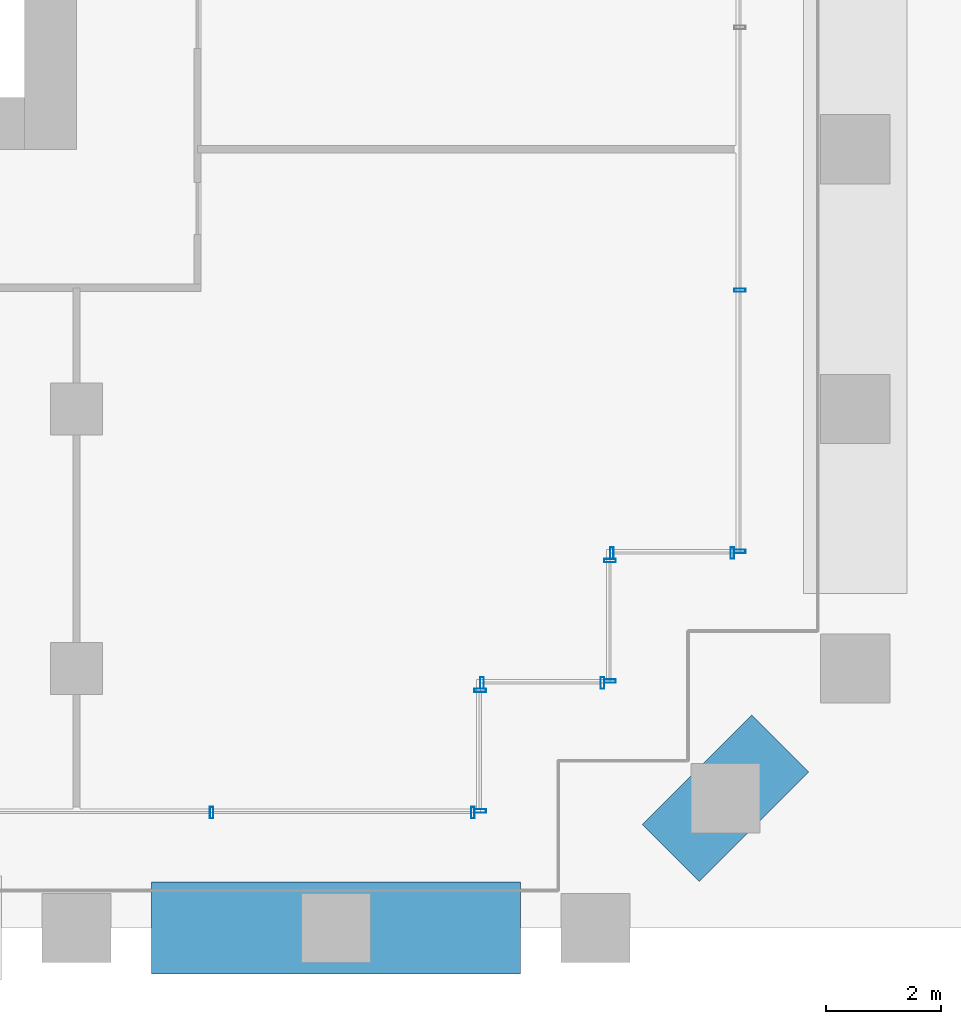
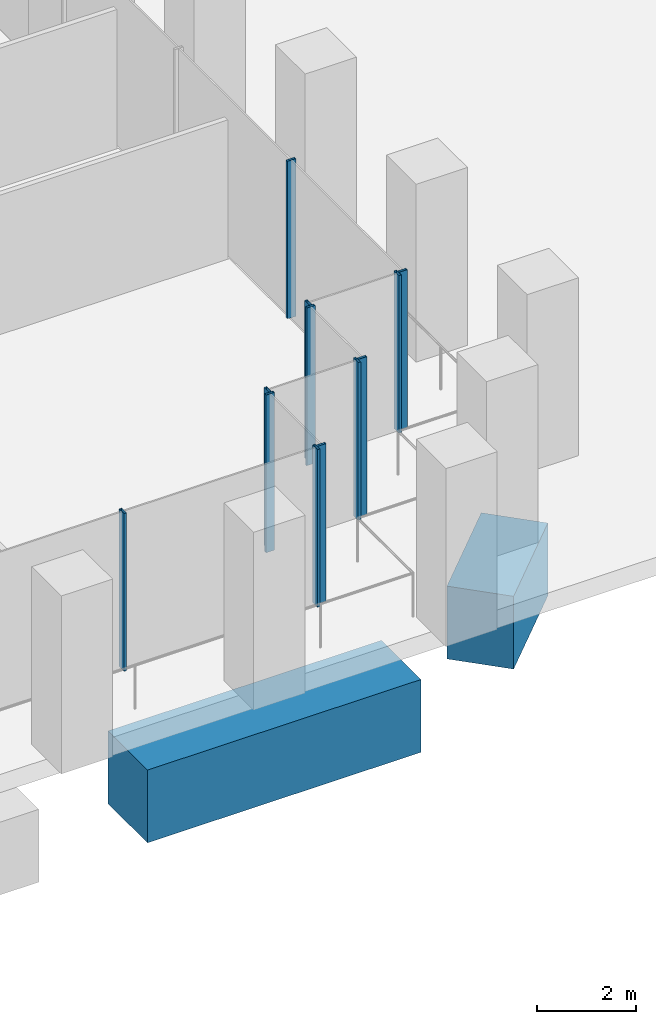
# One storey, part 6 of 32: 12 members, 2 beams, 6 elements without a shape of their own.
"""IFC4 building model written with IfcOpenShell, lengths in metres."""

import ifcopenshell
import ifcopenshell.guid

model = None  # the IFC model being written
_history = None  # IfcOwnerHistory: only IFC2X3 demands one
_inside = {}  # id of a spatial element -> (the spatial element, [elements in it])
_under = {}  # id of a project, library or spatial element -> (it, [spatial elements below it])
_declared = {}  # id of a project -> (the project, [libraries it declares])
_typed = {}  # id of a type object -> (the type object, [elements of that type])
_made_of = {}  # id of a material, layer set ... -> (it, [elements and type objects made of it])


def new_model(schema):
    """Start an empty IFC model of exactly this schema.

    Asked for "IFC4X3", IfcOpenShell would pick the latest addendum, in which some entities
    have other attributes; the version numbers below select the first issue.
    IFC2X3 requires an IfcOwnerHistory on every rooted entity: one is made here for all.
    """
    global model, _history
    if schema == "IFC4X3":
        model = ifcopenshell.file(schema_version=(4, 3, 0, 0))
    else:
        model = ifcopenshell.file(schema=schema)
    _inside.clear()
    _under.clear()
    _declared.clear()
    _typed.clear()
    _made_of.clear()
    _history = None
    if model.schema == "IFC2X3":
        org = make("IfcOrganization", Name="unknown")
        user = make(
            "IfcPersonAndOrganization",
            ThePerson=make("IfcPerson", FamilyName="unknown"),
            TheOrganization=org,
        )
        app = make(
            "IfcApplication",
            ApplicationDeveloper=org,
            Version="unknown",
            ApplicationFullName="unknown",
            ApplicationIdentifier="unknown",
        )
        _history = make(
            "IfcOwnerHistory",
            OwningUser=user,
            OwningApplication=app,
            ChangeAction="ADDED",
            CreationDate=0,
        )
    return model


def make(cls, **values):
    """One entity of the class cls with the attributes given. An attribute that is None is left unset."""
    return model.create_entity(
        cls, **{name: value for name, value in values.items() if value is not None}
    )


def rooted(cls, **values):
    """An entity with a GlobalId (a new one), such as an element, a storey or a relation."""
    return make(cls, GlobalId=ifcopenshell.guid.new(), OwnerHistory=_history, **values)


def si_unit(unit_type, name, prefix=None):
    """IfcSIUnit, for example si_unit("LENGTHUNIT", "METRE", prefix="MILLI")."""
    return make("IfcSIUnit", UnitType=unit_type, Prefix=prefix, Name=name)


def assignment(units):
    """IfcUnitAssignment: the units of a project."""
    return None if units is None else make("IfcUnitAssignment", Units=units)


def point(xyz):
    """IfcCartesianPoint."""
    return None if xyz is None else make("IfcCartesianPoint", Coordinates=xyz)


def direction(xyz):
    """IfcDirection."""
    return None if xyz is None else make("IfcDirection", DirectionRatios=xyz)


def frame(location, z_axis=None, x_axis=None):
    """IfcAxis2Placement3D, a coordinate frame: its origin and axes. An axis left out is left unset."""
    return make(
        "IfcAxis2Placement3D",
        Location=point(location),
        Axis=direction(z_axis),
        RefDirection=direction(x_axis),
    )


def frame_2d(location, x_axis=None):
    """IfcAxis2Placement2D, a coordinate frame in the plane: its origin and x axis."""
    return make(
        "IfcAxis2Placement2D", Location=point(location), RefDirection=direction(x_axis)
    )


def origin():
    """The frame at (0, 0, 0) with its axes left unset."""
    return frame((0.0, 0.0, 0.0))


def origin_2d():
    """The frame at (0, 0) in the plane with its x axis left unset."""
    return frame_2d((0.0, 0.0))


def place(relative_to, where):
    """IfcLocalPlacement: puts the frame where relative to a parent placement (None: the world)."""
    return make(
        "IfcLocalPlacement", PlacementRelTo=relative_to, RelativePlacement=where
    )


def context(
    kind, dimensions, precision=None, world=None, true_north=None, identifier=None
):
    """IfcGeometricRepresentationContext, for example the 3D "Model" context."""
    return make(
        "IfcGeometricRepresentationContext",
        ContextIdentifier=identifier,
        ContextType=kind,
        CoordinateSpaceDimension=dimensions,
        Precision=precision,
        WorldCoordinateSystem=world,
        TrueNorth=true_north,
    )


def subcontext(parent, identifier, kind, view, scale=None):
    """IfcGeometricRepresentationSubContext, for example "Body" below "Model"."""
    return make(
        "IfcGeometricRepresentationSubContext",
        ContextIdentifier=identifier,
        ContextType=kind,
        ParentContext=parent,
        TargetScale=scale,
        TargetView=view,
    )


def project(units=None, contexts=None):
    """IfcProject with its units and contexts."""
    return rooted(
        "IfcProject",
        Name="project",
        RepresentationContexts=contexts,
        UnitsInContext=assignment(units),
    )


def spatial(cls, under=None, at=None, **own):
    """A site, building, storey or space (cls), placed at a placement, below another one or the project."""
    s = rooted(cls, ObjectPlacement=at, **own)
    if under is not None:
        _under.setdefault(under.id(), (under, []))[1].append(s)
    return s


def profile(cls, at=None, kind="AREA", **sizes):
    """A parametric profile (cls). Its sizes go by their IFC names, for example OverallWidth=200.0."""
    return make(cls, ProfileType=kind, Position=at, **sizes)


def rectangle(**sizes):
    """IfcRectangleProfileDef."""
    return profile("IfcRectangleProfileDef", **sizes)


def hollow_rectangle(**sizes):
    """IfcRectangleHollowProfileDef."""
    return profile("IfcRectangleHollowProfileDef", **sizes)


def extrude(swept, where, along, depth):
    """IfcExtrudedAreaSolid: the profile swept, set in the frame where, extruded along a direction by depth."""
    return make(
        "IfcExtrudedAreaSolid",
        SweptArea=swept,
        Position=where,
        ExtrudedDirection=direction(along),
        Depth=depth,
    )


def shape(context_of_items, identifier, shape_type, items):
    """IfcShapeRepresentation: the items that make up one representation, for example the "Body"."""
    return make(
        "IfcShapeRepresentation",
        ContextOfItems=context_of_items,
        RepresentationIdentifier=identifier,
        RepresentationType=shape_type,
        Items=items,
    )


def material(Name=None, Category=None):
    """IfcMaterial."""
    return make("IfcMaterial", Name=Name, Category=Category)


def material_profile(
    of_material, cross_section, Name=None, Category=None, Priority=None
):
    """IfcMaterialProfile: a cross section and its material."""
    return make(
        "IfcMaterialProfile",
        Name=Name,
        Material=of_material,
        Profile=cross_section,
        Priority=Priority,
        Category=Category,
    )


def profile_set(profiles, Name=None, composite=None):
    """IfcMaterialProfileSet."""
    return make(
        "IfcMaterialProfileSet",
        Name=Name,
        MaterialProfiles=profiles,
        CompositeProfile=composite,
    )


def made_of(thing, what):
    """Note that an element or type object is made of a material, layer set ...; save() writes the relation."""
    if what is not None:
        _made_of.setdefault(what.id(), (what, []))[1].append(thing)
    return thing


def type_object(cls, material=None, **own):
    """A type object (cls), such as IfcWallType, which elements share."""
    return made_of(rooted(cls, **own), material)


def element(
    cls,
    number,
    at=None,
    inside=None,
    cuts=None,
    type_object=None,
    material=None,
    context=None,
    identifier="Body",
    shape_type=None,
    held_by="IfcProductDefinitionShape",
    body=None,
    shapes=None,
    **own,
):
    """One element of the class cls, such as IfcWall. Its Tag is "e" and its number.

    at: its placement. inside: the storey or other place that contains it. cuts: it is an
    opening in that element (IfcRelVoidsElement). A single representation is given by context,
    identifier, shape_type and body (its items); several are given by shapes. held_by: the class
    of the entity that holds the representations. save() writes the other relations.
    """
    e = rooted(cls, Tag="e%d" % number, ObjectPlacement=at, **own)
    if body is not None:
        shapes = [shape(context, identifier, shape_type, body)]
    if shapes is not None:
        e.Representation = make(held_by, Representations=shapes)
    if inside is not None:
        _inside.setdefault(inside.id(), (inside, []))[1].append(e)
    if cuts is not None:
        rooted(
            "IfcRelVoidsElement", RelatingBuildingElement=cuts, RelatedOpeningElement=e
        )
    if type_object is not None:
        _typed.setdefault(type_object.id(), (type_object, []))[1].append(e)
    return made_of(e, material)


def aggregate(whole, parts):
    """IfcRelAggregates: a whole, such as a stair, and the parts it consists of."""
    return rooted("IfcRelAggregates", RelatingObject=whole, RelatedObjects=parts)


def save(model, path):
    """Write the relations noted so far, then the file.

    IfcRelAggregates (storeys below a building ...), IfcRelContainedInSpatialStructure (elements
    in a storey), IfcRelDefinesByType, IfcRelAssociatesMaterial and IfcRelDeclares: one each for
    every whole, place, type object, material and project.
    """
    for whole, parts in _under.values():
        aggregate(whole, parts)
    for where, things in _inside.values():
        rooted(
            "IfcRelContainedInSpatialStructure",
            RelatedElements=things,
            RelatingStructure=where,
        )
    for kind, things in _typed.values():
        rooted("IfcRelDefinesByType", RelatedObjects=things, RelatingType=kind)
    for what, things in _made_of.values():
        rooted("IfcRelAssociatesMaterial", RelatedObjects=things, RelatingMaterial=what)
    for by, libraries in _declared.values():
        rooted("IfcRelDeclares", RelatingContext=by, RelatedDefinitions=libraries)
    model.write(path)


model = new_model("IFC4")

# Units and contexts
model_context = context("Model", 3, precision=1e-05, world=origin(), true_north=direction((0.0, 1.0)))
body_context = subcontext(model_context, "Body", "Model", "MODEL_VIEW")
ifc_project = project(units=[si_unit("LENGTHUNIT", "METRE"), si_unit("AREAUNIT", "SQUARE_METRE"), si_unit("VOLUMEUNIT", "CUBIC_METRE"), si_unit("PLANEANGLEUNIT", "RADIAN"), si_unit("MASSUNIT", "GRAM", prefix="KILO")], contexts=[model_context])

# Site, building, storey
site_placement = place(None, origin())
site = spatial("IfcSite", under=ifc_project, at=site_placement, CompositionType="ELEMENT")
building_placement = place(site_placement, origin())
building = spatial("IfcBuilding", under=site, at=building_placement, Name="Altepetl Exchange Towers", CompositionType="ELEMENT")
storey_placement = place(building_placement, frame((0.0, 0.0, 21.0)))
storey = spatial("IfcBuildingStorey", under=building, at=storey_placement, Name="L04", CompositionType="ELEMENT", Elevation=21.0)

# Curtain wall, members
ifc_material_1 = material(Name="Aluminium 6063-T6 glazing", Category="aluminium")
curtain_wall_type = type_object("IfcCurtainWallType", Name="Trading floor glazing system", PredefinedType="NOTDEFINED", material=ifc_material_1)
curtain_wall_1_placement = place(storey_placement, origin())
curtain_wall_1 = element("IfcCurtainWall", 1, at=curtain_wall_1_placement, inside=storey, type_object=curtain_wall_type, Name="CW2 run", PredefinedType="NOTDEFINED")
ifc_material_2 = material(Name="Aluminium 6063-T6", Category="aluminium")
ifc_material_profile_1 = material_profile(ifc_material_2, hollow_rectangle(XDim=0.06005859375, YDim=0.199951171875, WallThickness=0.0029296875, at=origin_2d()), Name="Mullion 60x200 aluminium")
ifc_profile_set_1 = profile_set([ifc_material_profile_1], Name="Aluminium 6063-T6")
member_type = type_object("IfcMemberType", Name="Mullion 60x200 aluminium", PredefinedType="MULLION", material=ifc_profile_set_1)
member_1_placement = place(storey_placement, frame((60.8427734375, 29.0, 0.0)))
member_1 = element("IfcMember", 2, at=member_1_placement, type_object=member_type, Name="MU2 mullion", PredefinedType="MULLION", context=body_context, shape_type="SweptSolid", body=[
    extrude(hollow_rectangle(XDim=0.06005859375, YDim=0.199951171875, WallThickness=0.0029296875, at=origin_2d()), origin(), (0.0, 0.0, 1.0), 3.89990234375),
])
member_2_placement = place(storey_placement, frame((65.3701171875, 29.0, 0.0)))
member_2 = element("IfcMember", 3, at=member_2_placement, type_object=member_type, Name="MU2 mullion", PredefinedType="MULLION", context=body_context, shape_type="SweptSolid", body=[
    extrude(hollow_rectangle(XDim=0.06005859375, YDim=0.199951171875, WallThickness=0.0029296875, at=origin_2d()), origin(), (0.0, 0.0, 1.0), 3.89990234375),
])
aggregate(curtain_wall_1, [member_1, member_2])

curtain_wall_2_placement = place(storey_placement, origin())
curtain_wall_2 = element("IfcCurtainWall", 4, at=curtain_wall_2_placement, inside=storey, type_object=curtain_wall_type, Name="CW2 run", PredefinedType="NOTDEFINED")
member_3_placement = place(storey_placement, frame((65.5, 29.030029296875, 0.0), z_axis=(0.0, 0.0, 1.0), x_axis=(0.0, 1.0, 0.0)))
member_3 = element("IfcMember", 5, at=member_3_placement, type_object=member_type, Name="MU2 mullion", PredefinedType="MULLION", context=body_context, shape_type="SweptSolid", body=[
    extrude(hollow_rectangle(XDim=0.06005859375, YDim=0.199951171875, WallThickness=0.0029296875, at=origin_2d()), origin(), (0.0, 0.0, 1.0), 3.89990234375),
])
member_4_placement = place(storey_placement, frame((65.5, 31.1201171875, 0.0), z_axis=(0.0, 0.0, 1.0), x_axis=(0.0, 1.0, 0.0)))
member_4 = element("IfcMember", 6, at=member_4_placement, type_object=member_type, Name="MU2 mullion", PredefinedType="MULLION", context=body_context, shape_type="SweptSolid", body=[
    extrude(hollow_rectangle(XDim=0.06005859375, YDim=0.199951171875, WallThickness=0.0029296875, at=origin_2d()), origin(), (0.0, 0.0, 1.0), 3.89990234375),
])
aggregate(curtain_wall_2, [member_3, member_4])

curtain_wall_3_placement = place(storey_placement, origin())
curtain_wall_3 = element("IfcCurtainWall", 7, at=curtain_wall_3_placement, inside=storey, type_object=curtain_wall_type, Name="CW2 run", PredefinedType="NOTDEFINED")
member_5_placement = place(storey_placement, frame((65.530029296875, 31.25, 0.0)))
member_5 = element("IfcMember", 8, at=member_5_placement, type_object=member_type, Name="MU2 mullion", PredefinedType="MULLION", context=body_context, shape_type="SweptSolid", body=[
    extrude(hollow_rectangle(XDim=0.06005859375, YDim=0.199951171875, WallThickness=0.0029296875, at=origin_2d()), origin(), (0.0, 0.0, 1.0), 3.89990234375),
])
member_6_placement = place(storey_placement, frame((67.6201171875, 31.25, 0.0)))
member_6 = element("IfcMember", 9, at=member_6_placement, type_object=member_type, Name="MU2 mullion", PredefinedType="MULLION", context=body_context, shape_type="SweptSolid", body=[
    extrude(hollow_rectangle(XDim=0.06005859375, YDim=0.199951171875, WallThickness=0.0029296875, at=origin_2d()), origin(), (0.0, 0.0, 1.0), 3.89990234375),
])
aggregate(curtain_wall_3, [member_5, member_6])

curtain_wall_4_placement = place(storey_placement, origin())
curtain_wall_4 = element("IfcCurtainWall", 10, at=curtain_wall_4_placement, inside=storey, type_object=curtain_wall_type, Name="CW2 run", PredefinedType="NOTDEFINED")
member_7_placement = place(storey_placement, frame((67.75, 31.280029296875, 0.0), z_axis=(0.0, 0.0, 1.0), x_axis=(0.0, 1.0, 0.0)))
member_7 = element("IfcMember", 11, at=member_7_placement, type_object=member_type, Name="MU2 mullion", PredefinedType="MULLION", context=body_context, shape_type="SweptSolid", body=[
    extrude(hollow_rectangle(XDim=0.06005859375, YDim=0.199951171875, WallThickness=0.0029296875, at=origin_2d()), origin(), (0.0, 0.0, 1.0), 3.89990234375),
])
member_8_placement = place(storey_placement, frame((67.75, 33.3701171875, 0.0), z_axis=(0.0, 0.0, 1.0), x_axis=(0.0, 1.0, 0.0)))
member_8 = element("IfcMember", 12, at=member_8_placement, type_object=member_type, Name="MU2 mullion", PredefinedType="MULLION", context=body_context, shape_type="SweptSolid", body=[
    extrude(hollow_rectangle(XDim=0.06005859375, YDim=0.199951171875, WallThickness=0.0029296875, at=origin_2d()), origin(), (0.0, 0.0, 1.0), 3.89990234375),
])
aggregate(curtain_wall_4, [member_7, member_8])

curtain_wall_5_placement = place(storey_placement, origin())
curtain_wall_5 = element("IfcCurtainWall", 13, at=curtain_wall_5_placement, inside=storey, type_object=curtain_wall_type, Name="CW2 run", PredefinedType="NOTDEFINED")
member_9_placement = place(storey_placement, frame((67.780029296875, 33.5, 0.0)))
member_9 = element("IfcMember", 14, at=member_9_placement, type_object=member_type, Name="MU2 mullion", PredefinedType="MULLION", context=body_context, shape_type="SweptSolid", body=[
    extrude(hollow_rectangle(XDim=0.06005859375, YDim=0.199951171875, WallThickness=0.0029296875, at=origin_2d()), origin(), (0.0, 0.0, 1.0), 3.89990234375),
])
member_10_placement = place(storey_placement, frame((69.8701171875, 33.5, 0.0)))
member_10 = element("IfcMember", 15, at=member_10_placement, type_object=member_type, Name="MU2 mullion", PredefinedType="MULLION", context=body_context, shape_type="SweptSolid", body=[
    extrude(hollow_rectangle(XDim=0.06005859375, YDim=0.199951171875, WallThickness=0.0029296875, at=origin_2d()), origin(), (0.0, 0.0, 1.0), 3.89990234375),
])
aggregate(curtain_wall_5, [member_9, member_10])

curtain_wall_6_placement = place(storey_placement, origin())
curtain_wall_6 = element("IfcCurtainWall", 16, at=curtain_wall_6_placement, inside=storey, type_object=curtain_wall_type, Name="CW2 run", PredefinedType="NOTDEFINED")
member_11_placement = place(storey_placement, frame((70.0, 33.530029296875, 0.0), z_axis=(0.0, 0.0, 1.0), x_axis=(0.0, 1.0, 0.0)))
member_11 = element("IfcMember", 17, at=member_11_placement, type_object=member_type, Name="MU2 mullion", PredefinedType="MULLION", context=body_context, shape_type="SweptSolid", body=[
    extrude(hollow_rectangle(XDim=0.06005859375, YDim=0.199951171875, WallThickness=0.0029296875, at=origin_2d()), origin(), (0.0, 0.0, 1.0), 3.89990234375),
])
member_12_placement = place(storey_placement, frame((70.0, 38.05712890625, 0.0), z_axis=(0.0, 0.0, 1.0), x_axis=(0.0, 1.0, 0.0)))
member_12 = element("IfcMember", 18, at=member_12_placement, type_object=member_type, Name="MU2 mullion", PredefinedType="MULLION", context=body_context, shape_type="SweptSolid", body=[
    extrude(hollow_rectangle(XDim=0.06005859375, YDim=0.199951171875, WallThickness=0.0029296875, at=origin_2d()), origin(), (0.0, 0.0, 1.0), 3.89990234375),
])
aggregate(curtain_wall_6, [member_11, member_12])

# Beams
ifc_material_3 = material(Name="Concrete C60/75", Category="concrete")
ifc_material_profile_2 = material_profile(ifc_material_3, rectangle(XDim=1.39990234375, YDim=1.800048828125, at=origin_2d()), Name="1400 x 1800")
ifc_profile_set_2 = profile_set([ifc_material_profile_2], Name="Concrete C60/75")
beam_type_1 = type_object("IfcBeamType", Name="Transfer girder 1400x1800", PredefinedType="BEAM", material=ifc_profile_set_2)
beam_1_placement = place(storey_placement, frame((68.800048828125, 28.300048828125, -1.35009765625), z_axis=(0.707106781187, 0.707106781187, 0.0), x_axis=(-0.707106781187, 0.707106781187, 0.0)))
element("IfcBeam", 19, at=beam_1_placement, inside=storey, type_object=beam_type_1, Name="bm:A:L04:tg13", PredefinedType="BEAM", context=body_context, shape_type="SweptSolid", body=[
    extrude(rectangle(XDim=1.39990234375, YDim=1.800048828125, at=origin_2d()), origin(), (0.0, 0.0, 1.0), 2.686767578125),
])
ifc_material_profile_3 = material_profile(ifc_material_3, rectangle(XDim=1.60009765625, YDim=1.800048828125, at=origin_2d()), Name="1600 x 1800")
ifc_profile_set_3 = profile_set([ifc_material_profile_3], Name="Concrete C60/75")
beam_type_2 = type_object("IfcBeamType", Name="Transfer girder 1600x1800", PredefinedType="BEAM", material=ifc_profile_set_3)
beam_2_placement = place(storey_placement, frame((59.800048828125, 27.0, -1.35009765625), z_axis=(1.0, 0.0, 0.0), x_axis=(0.0, 1.0, 0.0)))
element("IfcBeam", 20, at=beam_2_placement, inside=storey, type_object=beam_type_2, Name="bm:A:L04:tg02", PredefinedType="BEAM", context=body_context, shape_type="SweptSolid", body=[
    extrude(rectangle(XDim=1.60009765625, YDim=1.800048828125, at=origin_2d()), origin(), (0.0, 0.0, 1.0), 6.39990234375),
])

save(model, "model.ifc")
